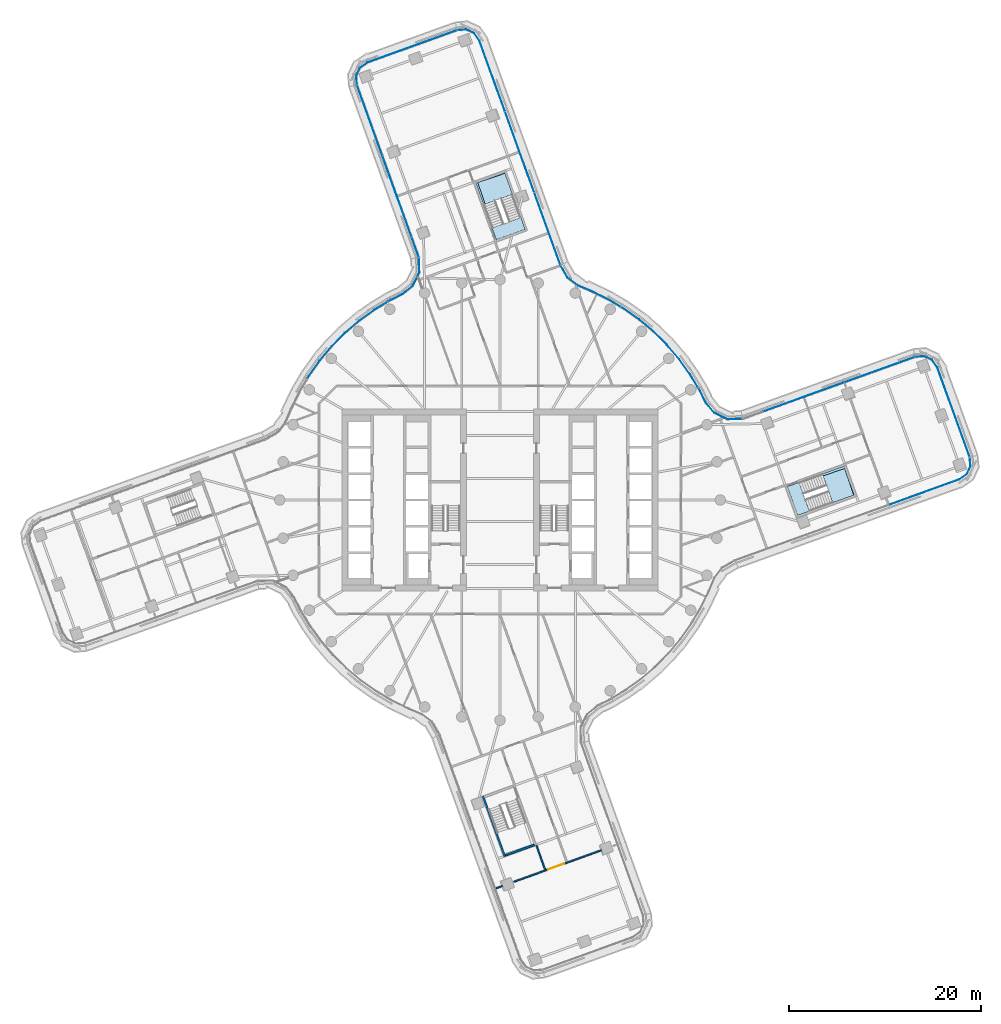
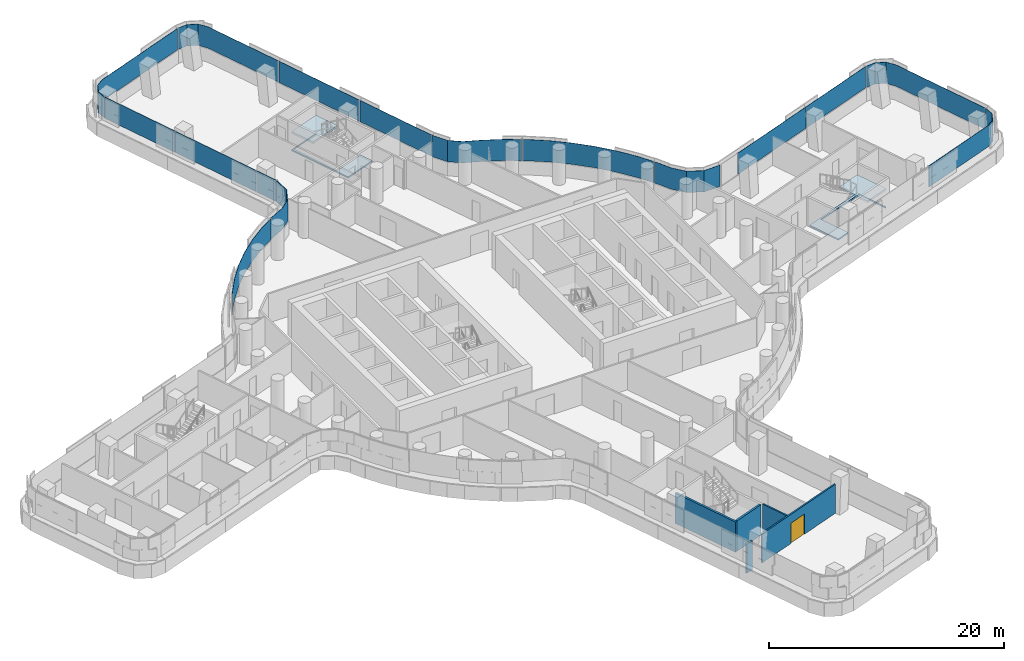
# One storey, part 17 of 30: 16 plates, 5 walls, 4 slabs, 1 door, 1 opening, 10 elements without a shape of their own.
"""IFC4 building model written with IfcOpenShell, lengths in metres."""

from ifc_helpers import new_model, si_unit, direction, frame, frame_2d, origin, place, context, subcontext, project, spatial, polyline, rectangle, outline, extrude, material, layer, layer_set, type_object, element, fill, aggregate, save


model = new_model("IFC4")

# Units and contexts
model_context = context("Model", 3, precision=1e-05, world=origin(), true_north=direction((0.0, 1.0)))
body_context = subcontext(model_context, "Body", "Model", "MODEL_VIEW")
ifc_project = project(units=[si_unit("LENGTHUNIT", "METRE"), si_unit("AREAUNIT", "SQUARE_METRE"), si_unit("VOLUMEUNIT", "CUBIC_METRE"), si_unit("PLANEANGLEUNIT", "RADIAN"), si_unit("MASSUNIT", "GRAM", prefix="KILO")], contexts=[model_context])

# Site, building, storey
site_placement = place(None, origin())
site = spatial("IfcSite", under=ifc_project, at=site_placement, CompositionType="ELEMENT")
building_placement = place(site_placement, origin())
building = spatial("IfcBuilding", under=site, at=building_placement, Name="Tamarind Cross Interchange Tower", CompositionType="ELEMENT")
storey_placement = place(building_placement, frame((0.0, 0.0, 106.0)))
storey = spatial("IfcBuildingStorey", under=building, at=storey_placement, Name="L25", CompositionType="ELEMENT", Elevation=106.0)

# Slabs
ifc_material_1 = material(Name="Concrete C35", Category="concrete")
ifc_layer_1 = layer(ifc_material_1, 0.139892578125)
ifc_layer_set_1 = layer_set([ifc_layer_1], Name="Concrete C35")
slab_type_1 = type_object("IfcSlabType", Name="Composite slab 140 Concrete C35", PredefinedType="FLOOR", material=ifc_layer_set_1)
slab_1_placement = place(storey_placement, frame((0.0, 0.0, -0.139892578125)))
element("IfcSlab", 1, at=slab_1_placement, inside=storey, type_object=slab_type_1, Name="Floor slab L25", PredefinedType="FLOOR", context=body_context, shape_type="SweptSolid", body=[
    extrude(outline(polyline([(-0.381103515625, 27.17822265625), (2.62890625, 28.264892578125), (2.21142578125, 29.421142578125), (2.18310546875, 29.4990234375), (-0.718017578125, 28.451416015625), (-2.3173828125, 33.148193359375), (0.517333984375, 34.113525390625), (0.489501953125, 34.190673828125), (-2.5205078125, 33.10400390625), (-0.381103515625, 27.17822265625)])), origin(), (0.0, 0.0, 1.0), 0.139892578125),
])
slab_2_placement = place(storey_placement, frame((0.0, 0.0, -0.139892578125)))
element("IfcSlab", 2, at=slab_2_placement, inside=storey, type_object=slab_type_1, Name="Floor slab L25", PredefinedType="FLOOR", context=body_context, shape_type="SweptSolid", body=[
    extrude(outline(polyline([(37.01220703125, 0.529296875), (35.92578125, 3.539306640625), (30.0, 1.39990234375), (31.086669921875, -1.610107421875), (32.32080078125, -1.16455078125), (31.291748046875, 1.685302734375), (35.98779296875, 3.28466796875), (36.935791015625, 0.501708984375), (37.01220703125, 0.529296875)])), origin(), (0.0, 0.0, 1.0), 0.139892578125),
])

# Stair, slab
ifc_material_2 = material(Name="Exit stair")
stair_type = type_object("IfcStairType", Name="Exit stair", PredefinedType="HALF_TURN_STAIR", material=ifc_material_2)
stair_1_placement = place(storey_placement, origin())
stair_1 = element("IfcStair", 3, at=stair_1_placement, inside=storey, type_object=stair_type, Name="L25 exit stair ST3", PredefinedType="HALF_TURN_STAIR")
ifc_material_3 = material(Name="Concrete C40", Category="concrete")
ifc_layer_2 = layer(ifc_material_3, 0.199951171875)
ifc_layer_set_2 = layer_set([ifc_layer_2], Name="Concrete C40")
slab_type_2 = type_object("IfcSlabType", Name="Stair landing", PredefinedType="LANDING", material=ifc_layer_set_2)
slab_3_placement = place(storey_placement, frame((0.0, 0.0, 1.675048828125)))
slab_3 = element("IfcSlab", 4, at=slab_3_placement, type_object=slab_type_2, Name="ST3 landing 1", PredefinedType="LANDING", context=body_context, shape_type="SweptSolid", body=[
    extrude(outline(polyline([(34.74365234375, -0.289794921875), (37.01220703125, 0.529296875), (35.92578125, 3.5390625), (33.656982421875, 2.72021484375), (34.74365234375, -0.289794921875)])), origin(), (0.0, 0.0, 1.0), 0.199951171875),
])
aggregate(stair_1, [slab_3])

stair_2_placement = place(storey_placement, origin())
stair_2 = element("IfcStair", 5, at=stair_2_placement, inside=storey, type_object=stair_type, Name="L25 exit stair ST4", PredefinedType="HALF_TURN_STAIR")
slab_4_placement = place(storey_placement, frame((0.0, 0.0, 1.675048828125)))
slab_4 = element("IfcSlab", 6, at=slab_4_placement, type_object=slab_type_2, Name="ST4 landing 1", PredefinedType="LANDING", context=body_context, shape_type="SweptSolid", body=[
    extrude(outline(polyline([(1.30859375, 31.921875), (0.489501953125, 34.190673828125), (-2.5205078125, 33.10400390625), (-1.701416015625, 30.835205078125), (1.30859375, 31.921875)])), origin(), (0.0, 0.0, 1.0), 0.199951171875),
])
aggregate(stair_2, [slab_4])

# Curtain wall, plate
ifc_material_4 = material(Name="Aluminium 6063-T6", Category="aluminium")
ifc_layer_3 = layer(ifc_material_4, 0.159912109375)
ifc_layer_set_3 = layer_set([ifc_layer_3], Name="Aluminium 6063-T6")
curtain_wall_type = type_object("IfcCurtainWallType", Name="Office curtain wall, 9.0 m bays", PredefinedType="NOTDEFINED", material=ifc_layer_set_3)
curtain_wall_1_placement = place(storey_placement, origin())
curtain_wall_1 = element("IfcCurtainWall", 7, at=curtain_wall_1_placement, inside=storey, type_object=curtain_wall_type, Name="CWS-L25-07", PredefinedType="NOTDEFINED")
ifc_material_5 = material(Name="Laminated low-e glass 8+1.52+8", Category="glass")
ifc_layer_4 = layer(ifc_material_5, 0.028076171875)
ifc_layer_set_4 = layer_set([ifc_layer_4], Name="Laminated low-e glass 8+1.52+8")
plate_type = type_object("IfcPlateType", Name="Vision panel CW1", PredefinedType="CURTAIN_PANEL", material=ifc_layer_set_4)
plate_1_placement = place(storey_placement, frame((0.0, 0.0, 1.39990234375)))
plate_1 = element("IfcPlate", 8, at=plate_1_placement, type_object=plate_type, Name="CWP-L25-07-02", PredefinedType="CURTAIN_PANEL", context=body_context, shape_type="SweptSolid", body=[
    extrude(outline(polyline([(40.5830078125, -0.505615234375), (47.949951171875, 2.154052734375), (48.729248046875, 2.69677734375), (49.12060546875, 3.530029296875), (49.04248046875, 4.448486328125), (49.070556640625, 4.45068359375), (49.14892578125, 3.52490234375), (48.75146484375, 2.677978515625), (47.962890625, 2.12890625), (40.592529296875, -0.531982421875), (40.5830078125, -0.505615234375)])), origin(), (0.0, 0.0, 1.0), 2.210205078125),
])
aggregate(curtain_wall_1, [plate_1])

curtain_wall_2_placement = place(storey_placement, origin())
curtain_wall_2 = element("IfcCurtainWall", 9, at=curtain_wall_2_placement, inside=storey, type_object=curtain_wall_type, Name="CWS-L25-08", PredefinedType="NOTDEFINED")
plate_2_placement = place(storey_placement, frame((0.0, 0.0, 1.39990234375)))
plate_2 = element("IfcPlate", 10, at=plate_2_placement, type_object=plate_type, Name="CWP-L25-08-00", PredefinedType="CURTAIN_PANEL", context=body_context, shape_type="SweptSolid", body=[
    extrude(outline(polyline([(49.030517578125, 4.5029296875), (45.66357421875, 13.8291015625), (45.120849609375, 14.608642578125), (44.287353515625, 14.999755859375), (43.368896484375, 14.921875), (43.36669921875, 14.94970703125), (44.29248046875, 15.0283203125), (45.139404296875, 14.630859375), (45.688720703125, 13.84228515625), (49.056884765625, 4.512451171875), (49.030517578125, 4.5029296875)])), origin(), (0.0, 0.0, 1.0), 2.210205078125),
])
aggregate(curtain_wall_2, [plate_2])

# Curtain wall, plates
curtain_wall_3_placement = place(storey_placement, origin())
curtain_wall_3 = element("IfcCurtainWall", 11, at=curtain_wall_3_placement, inside=storey, type_object=curtain_wall_type, Name="CWS-L25-09", PredefinedType="NOTDEFINED")
plate_3_placement = place(storey_placement, frame((0.0, 0.0, 1.39990234375)))
plate_3 = element("IfcPlate", 12, at=plate_3_placement, type_object=plate_type, Name="CWP-L25-09-00", PredefinedType="CURTAIN_PANEL", context=body_context, shape_type="SweptSolid", body=[
    extrude(outline(polyline([(43.314453125, 14.909912109375), (35.964599609375, 12.269287109375), (35.955078125, 12.295654296875), (43.304931640625, 14.936279296875), (43.314453125, 14.909912109375)])), origin(), (0.0, 0.0, 1.0), 2.210205078125),
])
plate_4_placement = place(storey_placement, frame((0.0, 0.0, 1.39990234375)))
plate_4 = element("IfcPlate", 13, at=plate_4_placement, type_object=plate_type, Name="CWP-L25-09-01", PredefinedType="CURTAIN_PANEL", context=body_context, shape_type="SweptSolid", body=[
    extrude(outline(polyline([(35.908203125, 12.2490234375), (27.4921875, 9.22509765625), (27.482666015625, 9.25146484375), (35.898681640625, 12.275390625), (35.908203125, 12.2490234375)])), origin(), (0.0, 0.0, 1.0), 2.210205078125),
])
aggregate(curtain_wall_3, [plate_3, plate_4])

curtain_wall_4_placement = place(storey_placement, origin())
curtain_wall_4 = element("IfcCurtainWall", 14, at=curtain_wall_4_placement, inside=storey, type_object=curtain_wall_type, Name="CWS-L25-10", PredefinedType="NOTDEFINED")
plate_5_placement = place(storey_placement, frame((0.0, 0.0, 1.39990234375)))
plate_5 = element("IfcPlate", 15, at=plate_5_placement, type_object=plate_type, Name="CWP-L25-10-00", PredefinedType="CURTAIN_PANEL", context=body_context, shape_type="SweptSolid", body=[
    extrude(outline(polyline([(25.313720703125, 8.453125), (23.711669921875, 8.407470703125), (22.34912109375, 9.092041015625), (21.478271484375, 10.177490234375), (20.86669921875, 11.40869140625), (20.707275390625, 11.67333984375), (20.731201171875, 11.68798828125), (20.89111328125, 11.422119140625), (21.501953125, 10.192626953125), (22.3671875, 9.1142578125), (23.718017578125, 8.435791015625), (25.312744140625, 8.481201171875), (25.313720703125, 8.453125)])), origin(), (0.0, 0.0, 1.0), 2.210205078125),
])
plate_6_placement = place(storey_placement, frame((0.0, 0.0, 1.39990234375)))
plate_6 = element("IfcPlate", 16, at=plate_6_placement, type_object=plate_type, Name="CWP-L25-10-01", PredefinedType="CURTAIN_PANEL", context=body_context, shape_type="SweptSolid", body=[
    extrude(outline(polyline([(20.67626953125, 11.724853515625), (19.85302734375, 13.093017578125), (18.7041015625, 14.687744140625), (17.42724609375, 16.18212890625), (16.031494140625, 17.56591796875), (14.526123046875, 18.829833984375), (12.921630859375, 19.965087890625), (12.658935546875, 20.1201171875), (12.673095703125, 20.144287109375), (12.936767578125, 19.988525390625), (14.543212890625, 18.85205078125), (16.05029296875, 17.586669921875), (17.44775390625, 16.201171875), (18.72607421875, 14.705078125), (19.87646484375, 13.1083984375), (20.700439453125, 11.7392578125), (20.67626953125, 11.724853515625)])), origin(), (0.0, 0.0, 1.0), 2.210205078125),
])
plate_7_placement = place(storey_placement, frame((0.0, 0.0, 1.39990234375)))
plate_7 = element("IfcPlate", 17, at=plate_7_placement, type_object=plate_type, Name="CWP-L25-10-02", PredefinedType="CURTAIN_PANEL", context=body_context, shape_type="SweptSolid", body=[
    extrude(outline(polyline([(12.607177734375, 20.150634765625), (11.228759765625, 20.9638671875), (9.456298828125, 21.821044921875), (8.10546875, 22.389892578125), (7.071044921875, 23.17724609375), (6.5859375, 24.01611328125), (6.314208984375, 24.5087890625), (6.338623046875, 24.5224609375), (6.6103515625, 24.02978515625), (7.092529296875, 23.196044921875), (8.11962890625, 22.414306640625), (9.4677734375, 21.8466796875), (11.241943359375, 20.98876953125), (12.621337890625, 20.1748046875), (12.607177734375, 20.150634765625)])), origin(), (0.0, 0.0, 1.0), 2.210205078125),
])
aggregate(curtain_wall_4, [plate_5, plate_6, plate_7])

curtain_wall_5_placement = place(storey_placement, origin())
curtain_wall_5 = element("IfcCurtainWall", 18, at=curtain_wall_5_placement, inside=storey, type_object=curtain_wall_type, Name="CWS-L25-11", PredefinedType="NOTDEFINED")
plate_8_placement = place(storey_placement, frame((0.0, 0.0, 1.39990234375)))
plate_8 = element("IfcPlate", 19, at=plate_8_placement, type_object=plate_type, Name="CWP-L25-11-00", PredefinedType="CURTAIN_PANEL", context=body_context, shape_type="SweptSolid", body=[
    extrude(outline(polyline([(6.28857421875, 24.5654296875), (3.5810546875, 32.06494140625), (3.607177734375, 32.074462890625), (6.31494140625, 24.574951171875), (6.28857421875, 24.5654296875)])), origin(), (0.0, 0.0, 1.0), 2.210205078125),
])
plate_9_placement = place(storey_placement, frame((0.0, 0.0, 1.39990234375)))
plate_9 = element("IfcPlate", 20, at=plate_9_placement, type_object=plate_type, Name="CWP-L25-11-01", PredefinedType="CURTAIN_PANEL", context=body_context, shape_type="SweptSolid", body=[
    extrude(outline(polyline([(3.560546875, 32.121337890625), (0.526123046875, 40.526611328125), (0.552490234375, 40.5361328125), (3.5869140625, 32.130859375), (3.560546875, 32.121337890625)])), origin(), (0.0, 0.0, 1.0), 2.210205078125),
])
plate_10_placement = place(storey_placement, frame((0.0, 0.0, 1.39990234375)))
plate_10 = element("IfcPlate", 21, at=plate_10_placement, type_object=plate_type, Name="CWP-L25-11-02", PredefinedType="CURTAIN_PANEL", context=body_context, shape_type="SweptSolid", body=[
    extrude(outline(polyline([(0.505615234375, 40.5830078125), (-2.154052734375, 47.949951171875), (-2.69677734375, 48.729248046875), (-3.530029296875, 49.12060546875), (-4.448486328125, 49.04248046875), (-4.45068359375, 49.070556640625), (-3.52490234375, 49.14892578125), (-2.677978515625, 48.75146484375), (-2.12890625, 47.962890625), (0.531982421875, 40.592529296875), (0.505615234375, 40.5830078125)])), origin(), (0.0, 0.0, 1.0), 2.210205078125),
])
aggregate(curtain_wall_5, [plate_8, plate_9, plate_10])

# Curtain wall, plate
curtain_wall_6_placement = place(storey_placement, origin())
curtain_wall_6 = element("IfcCurtainWall", 22, at=curtain_wall_6_placement, inside=storey, type_object=curtain_wall_type, Name="CWS-L25-12", PredefinedType="NOTDEFINED")
plate_11_placement = place(storey_placement, frame((0.0, 0.0, 1.39990234375)))
plate_11 = element("IfcPlate", 23, at=plate_11_placement, type_object=plate_type, Name="CWP-L25-12-00", PredefinedType="CURTAIN_PANEL", context=body_context, shape_type="SweptSolid", body=[
    extrude(outline(polyline([(-4.5029296875, 49.030517578125), (-13.8291015625, 45.66357421875), (-14.608642578125, 45.120849609375), (-14.999755859375, 44.287353515625), (-14.921875, 43.368896484375), (-14.94970703125, 43.36669921875), (-15.0283203125, 44.29248046875), (-14.630859375, 45.139404296875), (-13.84228515625, 45.688720703125), (-4.512451171875, 49.056884765625), (-4.5029296875, 49.030517578125)])), origin(), (0.0, 0.0, 1.0), 2.210205078125),
])
aggregate(curtain_wall_6, [plate_11])

# Curtain wall, plates
curtain_wall_7_placement = place(storey_placement, origin())
curtain_wall_7 = element("IfcCurtainWall", 24, at=curtain_wall_7_placement, inside=storey, type_object=curtain_wall_type, Name="CWS-L25-13", PredefinedType="NOTDEFINED")
plate_12_placement = place(storey_placement, frame((0.0, 0.0, 1.39990234375)))
plate_12 = element("IfcPlate", 25, at=plate_12_placement, type_object=plate_type, Name="CWP-L25-13-00", PredefinedType="CURTAIN_PANEL", context=body_context, shape_type="SweptSolid", body=[
    extrude(outline(polyline([(-14.909912109375, 43.314453125), (-12.269287109375, 35.964599609375), (-12.295654296875, 35.955078125), (-14.936279296875, 43.304931640625), (-14.909912109375, 43.314453125)])), origin(), (0.0, 0.0, 1.0), 2.210205078125),
])
plate_13_placement = place(storey_placement, frame((0.0, 0.0, 1.39990234375)))
plate_13 = element("IfcPlate", 26, at=plate_13_placement, type_object=plate_type, Name="CWP-L25-13-01", PredefinedType="CURTAIN_PANEL", context=body_context, shape_type="SweptSolid", body=[
    extrude(outline(polyline([(-12.2490234375, 35.908203125), (-9.22509765625, 27.4921875), (-9.25146484375, 27.482666015625), (-12.275390625, 35.898681640625), (-12.2490234375, 35.908203125)])), origin(), (0.0, 0.0, 1.0), 2.210205078125),
])
plate_14_placement = place(storey_placement, frame((0.0, 0.0, 1.39990234375)))
plate_14 = element("IfcPlate", 27, at=plate_14_placement, type_object=plate_type, Name="CWP-L25-13-02", PredefinedType="CURTAIN_PANEL", context=body_context, shape_type="SweptSolid", body=[
    extrude(outline(polyline([(-9.204833984375, 27.435546875), (-8.46484375, 25.376220703125), (-8.4912109375, 25.36669921875), (-9.231201171875, 27.42626953125), (-9.204833984375, 27.435546875)])), origin(), (0.0, 0.0, 1.0), 2.210205078125),
])
aggregate(curtain_wall_7, [plate_12, plate_13, plate_14])

curtain_wall_8_placement = place(storey_placement, origin())
curtain_wall_8 = element("IfcCurtainWall", 28, at=curtain_wall_8_placement, inside=storey, type_object=curtain_wall_type, Name="CWS-L25-14", PredefinedType="NOTDEFINED")
plate_15_placement = place(storey_placement, frame((0.0, 0.0, 1.39990234375)))
plate_15 = element("IfcPlate", 29, at=plate_15_placement, type_object=plate_type, Name="CWP-L25-14-00", PredefinedType="CURTAIN_PANEL", context=body_context, shape_type="SweptSolid", body=[
    extrude(outline(polyline([(-8.453125, 25.313720703125), (-8.407470703125, 23.711669921875), (-9.092041015625, 22.34912109375), (-10.177490234375, 21.478271484375), (-11.40869140625, 20.86669921875), (-11.67333984375, 20.707275390625), (-11.68798828125, 20.731201171875), (-11.422119140625, 20.89111328125), (-10.192626953125, 21.501953125), (-9.1142578125, 22.3671875), (-8.435791015625, 23.718017578125), (-8.481201171875, 25.312744140625), (-8.453125, 25.313720703125)])), origin(), (0.0, 0.0, 1.0), 2.210205078125),
])
plate_16_placement = place(storey_placement, frame((0.0, 0.0, 1.39990234375)))
plate_16 = element("IfcPlate", 30, at=plate_16_placement, type_object=plate_type, Name="CWP-L25-14-01", PredefinedType="CURTAIN_PANEL", context=body_context, shape_type="SweptSolid", body=[
    extrude(outline(polyline([(-11.724853515625, 20.67626953125), (-13.093017578125, 19.85302734375), (-14.687744140625, 18.7041015625), (-16.18212890625, 17.42724609375), (-17.56591796875, 16.031494140625), (-18.829833984375, 14.526123046875), (-19.965087890625, 12.921630859375), (-20.1201171875, 12.658935546875), (-20.144287109375, 12.673095703125), (-19.988525390625, 12.936767578125), (-18.85205078125, 14.543212890625), (-17.586669921875, 16.05029296875), (-16.201171875, 17.44775390625), (-14.705078125, 18.72607421875), (-13.1083984375, 19.87646484375), (-11.7392578125, 20.700439453125), (-11.724853515625, 20.67626953125)])), origin(), (0.0, 0.0, 1.0), 2.210205078125),
])
aggregate(curtain_wall_8, [plate_15, plate_16])

# Walls
ifc_material_6 = material(Name="Gypsum board partition on steel studs", Category="steel")
ifc_layer_5 = layer(ifc_material_6, 0.14990234375)
ifc_layer_set_5 = layer_set([ifc_layer_5], Name="Gypsum board partition on steel studs")
wall_type_1 = type_object("IfcWallType", Name="Partition 150 mm EI 120", PredefinedType="PARTITIONING", material=ifc_layer_set_5)
wall_1_placement = place(storey_placement, frame((3.80859375, -36.083740234375, 0.0), z_axis=(0.0, 0.0, 1.0), x_axis=(0.3395148341, -0.940600700311, 0.0)))
element("IfcWall", 31, at=wall_1_placement, inside=storey, type_object=wall_type_1, Name="Partition L25-023", PredefinedType="PARTITIONING", context=body_context, shape_type="SweptSolid", body=[
    extrude(rectangle(XDim=2.684326171875, YDim=0.14990234375, at=frame_2d((1.34228515625, 0.0))), origin(), (0.0, 0.0, 1.0), 3.010009765625),
])
wall_2_placement = place(storey_placement, frame((-0.42626953125, -40.546630859375, 0.0), z_axis=(0.0, 0.0, 1.0), x_axis=(0.940611701513, 0.339484354538, 0.0)))
element("IfcWall", 32, at=wall_2_placement, inside=storey, type_object=wall_type_1, Name="Partition L25-059", PredefinedType="PARTITIONING", context=body_context, shape_type="SweptSolid", body=[
    extrude(rectangle(XDim=0.7119140625, YDim=0.14990234375, at=frame_2d((0.35595703125, 0.0))), origin(), (0.0, 0.0, 1.0), 3.010009765625),
])

# Wall, opening, door
wall_3_placement = place(storey_placement, frame((1.465087890625, -39.864013671875, 0.0), z_axis=(0.0, 0.0, 1.0), x_axis=(0.940587426, 0.339551607345, 0.0)))
wall_3 = element("IfcWall", 33, at=wall_3_placement, inside=storey, type_object=wall_type_1, Name="Partition L25-060", PredefinedType="PARTITIONING", context=body_context, shape_type="SweptSolid", body=[
    extrude(rectangle(XDim=9.69140625, YDim=0.14990234375, at=frame_2d((4.845703125, 0.0))), origin(), (0.0, 0.0, 1.0), 3.010009765625),
])
opening_placement = place(wall_3_placement, frame((3.788330078125, 0.0, 0.0)))
opening = element("IfcOpeningElement", 34, at=opening_placement, cuts=wall_3, Name="Opening D33", PredefinedType="OPENING", context=body_context, shape_type="SweptSolid", body=[
    extrude(rectangle(XDim=1.800048828125, YDim=2.10009765625, at=frame_2d((0.89990234375, 1.050048828125))), frame((0.0, 0.0849609375, 0.0), z_axis=(0.0, -1.0, 0.0), x_axis=(1.0, 0.0, 0.0)), (0.0, 0.0, 1.0), 0.169921875),
])
ifc_material_7 = material(Name="Fire-resisting door set")
door_type = type_object("IfcDoorType", Name="Interior door 1800 x 2100 FD60S", OperationType="DOUBLE_DOOR_SINGLE_SWING", PredefinedType="DOOR", material=ifc_material_7)
door_placement = place(opening_placement, origin())
door = element("IfcDoor", 35, at=door_placement, inside=storey, type_object=door_type, Name="Door D33", OperationType="DOUBLE_DOOR_SINGLE_SWING", OverallHeight=2.10009765625, OverallWidth=1.800048828125, PredefinedType="DOOR", context=body_context, shape_type="SweptSolid", body=[
    extrude(rectangle(XDim=1.800048828125, YDim=2.10009765625, at=frame_2d((0.89990234375, 1.050048828125))), frame((0.0, 0.02490234375, 0.0), z_axis=(0.0, -1.0, 0.0), x_axis=(1.0, 0.0, 0.0)), (0.0, 0.0, 1.0), 0.050048828125),
])
fill(opening, door)

# Walls
ifc_layer_6 = layer(ifc_material_3, 0.199951171875)
ifc_layer_set_6 = layer_set([ifc_layer_6], Name="Concrete C40")
wall_type_2 = type_object("IfcWallType", Name="Stair shaft wall 200 mm Concrete C40", PredefinedType="SHEAR", material=ifc_layer_set_6)
wall_4_placement = place(storey_placement, frame((-1.77197265625, -30.9326171875, -0.139892578125), z_axis=(0.0, 0.0, 1.0), x_axis=(0.339579991126, -0.940577178985, 0.0)))
element("IfcWall", 36, at=wall_4_placement, inside=storey, type_object=wall_type_2, Name="Core wall CWL-L25-ST6-C", PredefinedType="SHEAR", context=body_context, shape_type="SweptSolid", body=[
    extrude(rectangle(XDim=6.699951171875, YDim=0.199951171875, at=frame_2d((3.35009765625, 0.0))), origin(), (0.0, 0.0, 1.0), 3.14990234375),
])
wall_5_placement = place(storey_placement, frame((0.0, 0.0, -0.139892578125)))
element("IfcWall", 37, at=wall_5_placement, inside=storey, type_object=wall_type_2, Name="Core wall CWL-L25-ST6-CF", PredefinedType="SHEAR", context=body_context, shape_type="SweptSolid", body=[
    extrude(outline(polyline([(0.529296875, -37.01220703125), (0.59716796875, -37.200439453125), (3.607177734375, -36.11376953125), (3.539306640625, -35.92578125), (0.529296875, -37.01220703125)])), origin(), (0.0, 0.0, 1.0), 3.14990234375),
])

save(model, "model.ifc")
